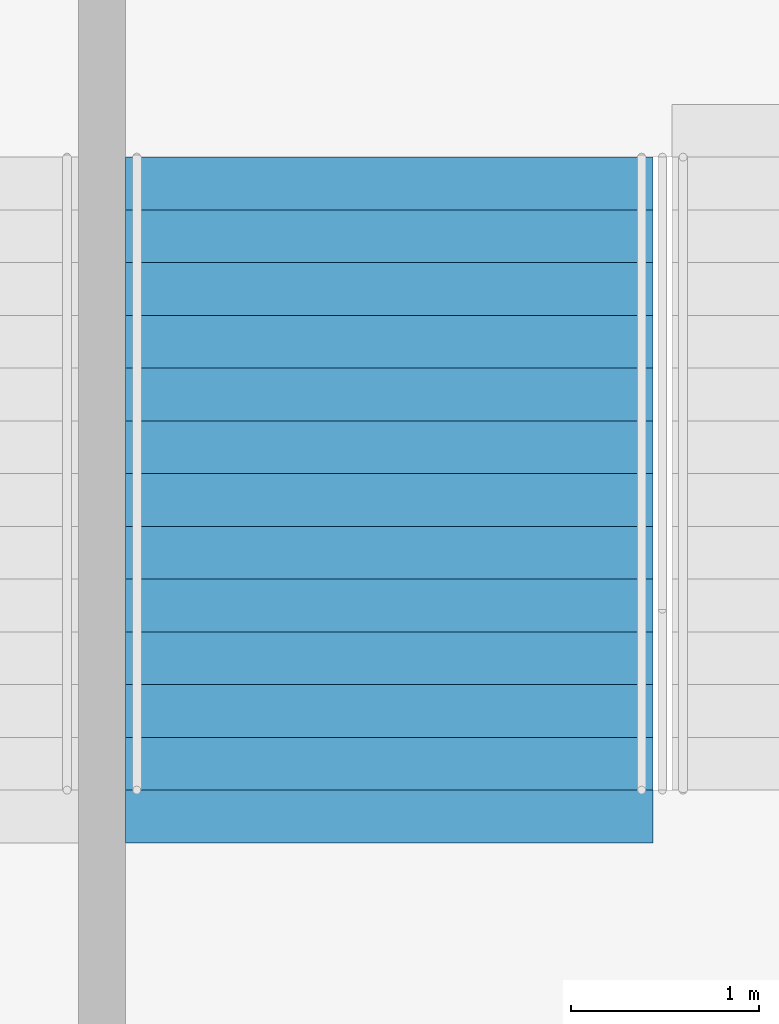
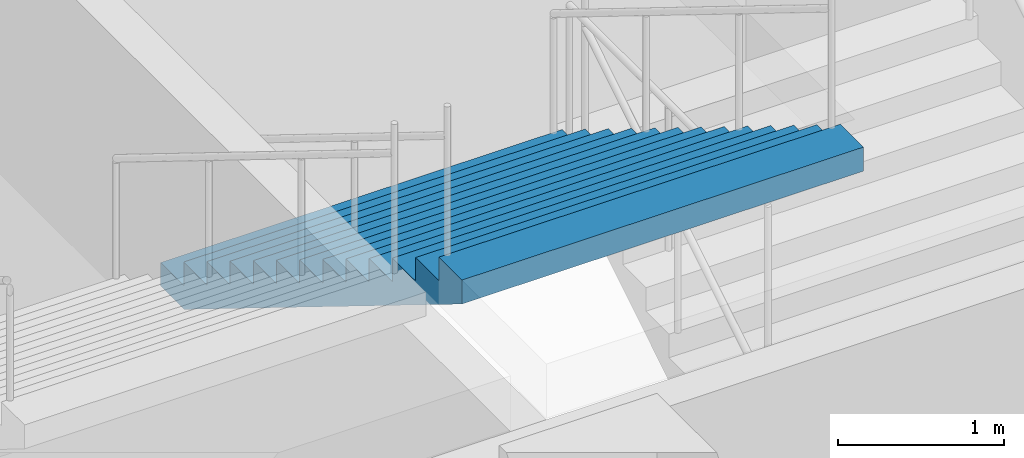
# One storey, part 169 of 199: 1 stair flight, 1 element without a shape of its own.
"""IFC4 building model written with IfcOpenShell, lengths in metres."""

from ifc_helpers import new_model, si_unit, direction, frame, origin, place, context, subcontext, project, spatial, faceted_brep, material, type_object, element, aggregate, save


model = new_model("IFC4")

# Units and contexts
model_context = context("Model", 3, precision=1e-05, world=origin(), true_north=direction((0.0, 1.0)))
body_context = subcontext(model_context, "Body", "Model", "MODEL_VIEW")
ifc_project = project(units=[si_unit("LENGTHUNIT", "METRE"), si_unit("AREAUNIT", "SQUARE_METRE"), si_unit("VOLUMEUNIT", "CUBIC_METRE"), si_unit("PLANEANGLEUNIT", "RADIAN"), si_unit("MASSUNIT", "GRAM", prefix="KILO")], contexts=[model_context])

# Site, building, storey
site_placement = place(None, origin())
site = spatial("IfcSite", under=ifc_project, at=site_placement, CompositionType="ELEMENT")
building_placement = place(site_placement, origin())
building = spatial("IfcBuilding", under=site, at=building_placement, Name="Ogive Plaza Stadium", CompositionType="ELEMENT")
storey_placement = place(building_placement, frame((0.0, 0.0, 9.0)))
storey = spatial("IfcBuildingStorey", under=building, at=storey_placement, Name="L02", CompositionType="ELEMENT", Elevation=9.0)

# Stair, stair flight
ifc_material_1 = material(Name="Concrete C40/50", Category="concrete")
stair_type = type_object("IfcStairType", Name="Exit stair", PredefinedType="STRAIGHT_RUN_STAIR", material=ifc_material_1)
stair_placement = place(storey_placement, origin())
stair = element("IfcStair", 1, at=stair_placement, inside=storey, type_object=stair_type, Name="Exit stair ST36A L02 to L03", PredefinedType="STRAIGHT_RUN_STAIR")
ifc_material_2 = material(Name="Concrete C40/50", Category="concrete")
stair_flight_type = type_object("IfcStairFlightType", Name="Exit stair flight", PredefinedType="STRAIGHT", material=ifc_material_2)
stair_flight_placement = place(storey_placement, frame((21.925048828125, 98.2099609375, 2.25), z_axis=(0.0, 0.0, 1.0), x_axis=(0.0, -1.0, 0.0)))
stair_flight = element("IfcStairFlight", 2, at=stair_flight_placement, type_object=stair_flight_type, Name="ST36A flight 2", NumberOfRisers=13, NumberOfTreads=12, PredefinedType="STRAIGHT", RiserHeight=0.173076923, TreadLength=0.28, context=body_context, shape_type="Brep", body=[
    faceted_brep([(0.28515625, -1.39990234375, 0.0), (3.639892578125, -1.39990234375, 2.07373046875), (3.639892578125, -1.39990234375, 2.25), (3.360107421875, -1.39990234375, 2.25), (3.360107421875, -1.39990234375, 2.076904296875), (3.080078125, -1.39990234375, 2.076904296875), (3.080078125, -1.39990234375, 1.90380859375), (2.800048828125, -1.39990234375, 1.90380859375), (2.800048828125, -1.39990234375, 1.730712890625), (2.52001953125, -1.39990234375, 1.730712890625), (2.52001953125, -1.39990234375, 1.5576171875), (2.239990234375, -1.39990234375, 1.5576171875), (2.239990234375, -1.39990234375, 1.384521484375), (1.9599609375, -1.39990234375, 1.384521484375), (1.9599609375, -1.39990234375, 1.21142578125), (1.679931640625, -1.39990234375, 1.21142578125), (1.679931640625, -1.39990234375, 1.03857421875), (1.39990234375, -1.39990234375, 1.03857421875), (1.39990234375, -1.39990234375, 0.865478515625), (1.1201171875, -1.39990234375, 0.865478515625), (1.1201171875, -1.39990234375, 0.6923828125), (0.840087890625, -1.39990234375, 0.6923828125), (0.840087890625, -1.39990234375, 0.519287109375), (0.56005859375, -1.39990234375, 0.519287109375), (0.56005859375, -1.39990234375, 0.34619140625), (0.280029296875, -1.39990234375, 0.34619140625), (0.280029296875, -1.39990234375, 0.173095703125), (0.0, -1.39990234375, 0.173095703125), (0.0, -1.39990234375, 0.0), (0.0, 1.39990234375, 0.0), (0.0, 1.39990234375, 0.173095703125), (0.280029296875, 1.39990234375, 0.173095703125), (0.280029296875, 1.39990234375, 0.34619140625), (0.56005859375, 1.39990234375, 0.34619140625), (0.56005859375, 1.39990234375, 0.519287109375), (0.840087890625, 1.39990234375, 0.519287109375), (0.840087890625, 1.39990234375, 0.6923828125), (1.1201171875, 1.39990234375, 0.6923828125), (1.1201171875, 1.39990234375, 0.865478515625), (1.39990234375, 1.39990234375, 0.865478515625), (1.39990234375, 1.39990234375, 1.03857421875), (1.679931640625, 1.39990234375, 1.03857421875), (1.679931640625, 1.39990234375, 1.21142578125), (1.9599609375, 1.39990234375, 1.21142578125), (1.9599609375, 1.39990234375, 1.384521484375), (2.239990234375, 1.39990234375, 1.384521484375), (2.239990234375, 1.39990234375, 1.5576171875), (2.52001953125, 1.39990234375, 1.5576171875), (2.52001953125, 1.39990234375, 1.730712890625), (2.800048828125, 1.39990234375, 1.730712890625), (2.800048828125, 1.39990234375, 1.90380859375), (3.080078125, 1.39990234375, 1.90380859375), (3.080078125, 1.39990234375, 2.076904296875), (3.360107421875, 1.39990234375, 2.076904296875), (3.360107421875, 1.39990234375, 2.25), (3.639892578125, 1.39990234375, 2.25), (3.639892578125, 1.39990234375, 2.07373046875), (0.28515625, 1.39990234375, 0.0), (0.28515625, -1.0888671875, 0.0), (3.639892578125, -1.0888671875, 2.07373046875), (0.28515625, -0.77783203125, 0.0), (3.639892578125, -0.77783203125, 2.07373046875), (0.28515625, -0.466796875, 0.0), (3.639892578125, -0.466796875, 2.07373046875), (0.28515625, -0.155517578125, 0.0), (3.639892578125, -0.155517578125, 2.07373046875), (0.28515625, 0.155517578125, 0.0), (3.639892578125, 0.155517578125, 2.07373046875), (0.28515625, 0.466796875, 0.0), (3.639892578125, 0.466796875, 2.07373046875), (0.28515625, 0.77783203125, 0.0), (3.639892578125, 0.77783203125, 2.07373046875), (0.28515625, 1.0888671875, 0.0), (3.639892578125, 1.0888671875, 2.07373046875), (3.639892578125, -1.0888671875, 2.25), (3.639892578125, -0.77783203125, 2.25), (3.639892578125, -0.466796875, 2.25), (3.639892578125, -0.155517578125, 2.25), (3.639892578125, 0.155517578125, 2.25), (3.639892578125, 0.466796875, 2.25), (3.639892578125, 0.77783203125, 2.25), (3.639892578125, 1.0888671875, 2.25), (3.360107421875, -1.0888671875, 2.25), (3.360107421875, -0.77783203125, 2.25), (3.360107421875, -0.466796875, 2.25), (3.360107421875, -0.155517578125, 2.25), (3.360107421875, 0.155517578125, 2.25), (3.360107421875, 0.466796875, 2.25), (3.360107421875, 0.77783203125, 2.25), (3.360107421875, 1.0888671875, 2.25), (3.360107421875, -1.0888671875, 2.076904296875), (3.360107421875, -0.77783203125, 2.076904296875), (3.360107421875, -0.466796875, 2.076904296875), (3.360107421875, -0.155517578125, 2.076904296875), (3.360107421875, 0.155517578125, 2.076904296875), (3.360107421875, 0.466796875, 2.076904296875), (3.360107421875, 0.77783203125, 2.076904296875), (3.360107421875, 1.0888671875, 2.076904296875), (3.080078125, -1.0888671875, 2.076904296875), (3.080078125, -0.77783203125, 2.076904296875), (3.080078125, -0.466796875, 2.076904296875), (3.080078125, -0.155517578125, 2.076904296875), (3.080078125, 0.155517578125, 2.076904296875), (3.080078125, 0.466796875, 2.076904296875), (3.080078125, 0.77783203125, 2.076904296875), (3.080078125, 1.0888671875, 2.076904296875), (3.080078125, -1.0888671875, 1.90380859375), (3.080078125, -0.77783203125, 1.90380859375), (3.080078125, -0.466796875, 1.90380859375), (3.080078125, -0.155517578125, 1.90380859375), (3.080078125, 0.155517578125, 1.90380859375), (3.080078125, 0.466796875, 1.90380859375), (3.080078125, 0.77783203125, 1.90380859375), (3.080078125, 1.0888671875, 1.90380859375), (2.800048828125, -1.0888671875, 1.90380859375), (2.800048828125, -0.77783203125, 1.90380859375), (2.800048828125, -0.466796875, 1.90380859375), (2.800048828125, -0.155517578125, 1.90380859375), (2.800048828125, 0.155517578125, 1.90380859375), (2.800048828125, 0.466796875, 1.90380859375), (2.800048828125, 0.77783203125, 1.90380859375), (2.800048828125, 1.0888671875, 1.90380859375), (2.800048828125, -1.0888671875, 1.730712890625), (2.800048828125, -0.77783203125, 1.730712890625), (2.800048828125, -0.466796875, 1.730712890625), (2.800048828125, -0.155517578125, 1.730712890625), (2.800048828125, 0.155517578125, 1.730712890625), (2.800048828125, 0.466796875, 1.730712890625), (2.800048828125, 0.77783203125, 1.730712890625), (2.800048828125, 1.0888671875, 1.730712890625), (2.52001953125, -1.0888671875, 1.730712890625), (2.52001953125, -0.77783203125, 1.730712890625), (2.52001953125, -0.466796875, 1.730712890625), (2.52001953125, -0.155517578125, 1.730712890625), (2.52001953125, 0.155517578125, 1.730712890625), (2.52001953125, 0.466796875, 1.730712890625), (2.52001953125, 0.77783203125, 1.730712890625), (2.52001953125, 1.0888671875, 1.730712890625), (2.52001953125, -1.0888671875, 1.5576171875), (2.52001953125, -0.77783203125, 1.5576171875), (2.52001953125, -0.466796875, 1.5576171875), (2.52001953125, -0.155517578125, 1.5576171875), (2.52001953125, 0.155517578125, 1.5576171875), (2.52001953125, 0.466796875, 1.5576171875), (2.52001953125, 0.77783203125, 1.5576171875), (2.52001953125, 1.0888671875, 1.5576171875), (2.239990234375, -1.0888671875, 1.5576171875), (2.239990234375, -0.77783203125, 1.5576171875), (2.239990234375, -0.466796875, 1.5576171875), (2.239990234375, -0.155517578125, 1.5576171875), (2.239990234375, 0.155517578125, 1.5576171875), (2.239990234375, 0.466796875, 1.5576171875), (2.239990234375, 0.77783203125, 1.5576171875), (2.239990234375, 1.0888671875, 1.5576171875), (2.239990234375, -1.0888671875, 1.384521484375), (2.239990234375, -0.77783203125, 1.384521484375), (2.239990234375, -0.466796875, 1.384521484375), (2.239990234375, -0.155517578125, 1.384521484375), (2.239990234375, 0.155517578125, 1.384521484375), (2.239990234375, 0.466796875, 1.384521484375), (2.239990234375, 0.77783203125, 1.384521484375), (2.239990234375, 1.0888671875, 1.384521484375), (1.9599609375, -1.0888671875, 1.384521484375), (1.9599609375, -0.77783203125, 1.384521484375), (1.9599609375, -0.466796875, 1.384521484375), (1.9599609375, -0.155517578125, 1.384521484375), (1.9599609375, 0.155517578125, 1.384521484375), (1.9599609375, 0.466796875, 1.384521484375), (1.9599609375, 0.77783203125, 1.384521484375), (1.9599609375, 1.0888671875, 1.384521484375), (1.9599609375, -1.0888671875, 1.21142578125), (1.9599609375, -0.77783203125, 1.21142578125), (1.9599609375, -0.466796875, 1.21142578125), (1.9599609375, -0.155517578125, 1.21142578125), (1.9599609375, 0.155517578125, 1.21142578125), (1.9599609375, 0.466796875, 1.21142578125), (1.9599609375, 0.77783203125, 1.21142578125), (1.9599609375, 1.0888671875, 1.21142578125), (1.679931640625, -1.0888671875, 1.21142578125), (1.679931640625, -0.77783203125, 1.21142578125), (1.679931640625, -0.466796875, 1.21142578125), (1.679931640625, -0.155517578125, 1.21142578125), (1.679931640625, 0.155517578125, 1.21142578125), (1.679931640625, 0.466796875, 1.21142578125), (1.679931640625, 0.77783203125, 1.21142578125), (1.679931640625, 1.0888671875, 1.21142578125), (1.679931640625, -1.0888671875, 1.03857421875), (1.679931640625, -0.77783203125, 1.03857421875), (1.679931640625, -0.466796875, 1.03857421875), (1.679931640625, -0.155517578125, 1.03857421875), (1.679931640625, 0.155517578125, 1.03857421875), (1.679931640625, 0.466796875, 1.03857421875), (1.679931640625, 0.77783203125, 1.03857421875), (1.679931640625, 1.0888671875, 1.03857421875), (1.39990234375, -1.0888671875, 1.03857421875), (1.39990234375, -0.77783203125, 1.03857421875), (1.39990234375, -0.466796875, 1.03857421875), (1.39990234375, -0.155517578125, 1.03857421875), (1.39990234375, 0.155517578125, 1.03857421875), (1.39990234375, 0.466796875, 1.03857421875), (1.39990234375, 0.77783203125, 1.03857421875), (1.39990234375, 1.0888671875, 1.03857421875), (1.39990234375, -1.0888671875, 0.865478515625), (1.39990234375, -0.77783203125, 0.865478515625), (1.39990234375, -0.466796875, 0.865478515625), (1.39990234375, -0.155517578125, 0.865478515625), (1.39990234375, 0.155517578125, 0.865478515625), (1.39990234375, 0.466796875, 0.865478515625), (1.39990234375, 0.77783203125, 0.865478515625), (1.39990234375, 1.0888671875, 0.865478515625), (1.1201171875, -1.0888671875, 0.865478515625), (1.1201171875, -0.77783203125, 0.865478515625), (1.1201171875, -0.466796875, 0.865478515625), (1.1201171875, -0.155517578125, 0.865478515625), (1.1201171875, 0.155517578125, 0.865478515625), (1.1201171875, 0.466796875, 0.865478515625), (1.1201171875, 0.77783203125, 0.865478515625), (1.1201171875, 1.0888671875, 0.865478515625), (1.1201171875, -1.0888671875, 0.6923828125), (1.1201171875, -0.77783203125, 0.6923828125), (1.1201171875, -0.466796875, 0.6923828125), (1.1201171875, -0.155517578125, 0.6923828125), (1.1201171875, 0.155517578125, 0.6923828125), (1.1201171875, 0.466796875, 0.6923828125), (1.1201171875, 0.77783203125, 0.6923828125), (1.1201171875, 1.0888671875, 0.6923828125), (0.840087890625, -1.0888671875, 0.6923828125), (0.840087890625, -0.77783203125, 0.6923828125), (0.840087890625, -0.466796875, 0.6923828125), (0.840087890625, -0.155517578125, 0.6923828125), (0.840087890625, 0.155517578125, 0.6923828125), (0.840087890625, 0.466796875, 0.6923828125), (0.840087890625, 0.77783203125, 0.6923828125), (0.840087890625, 1.0888671875, 0.6923828125), (0.840087890625, -1.0888671875, 0.519287109375), (0.840087890625, -0.77783203125, 0.519287109375), (0.840087890625, -0.466796875, 0.519287109375), (0.840087890625, -0.155517578125, 0.519287109375), (0.840087890625, 0.155517578125, 0.519287109375), (0.840087890625, 0.466796875, 0.519287109375), (0.840087890625, 0.77783203125, 0.519287109375), (0.840087890625, 1.0888671875, 0.519287109375), (0.56005859375, -1.0888671875, 0.519287109375), (0.56005859375, -0.77783203125, 0.519287109375), (0.56005859375, -0.466796875, 0.519287109375), (0.56005859375, -0.155517578125, 0.519287109375), (0.56005859375, 0.155517578125, 0.519287109375), (0.56005859375, 0.466796875, 0.519287109375), (0.56005859375, 0.77783203125, 0.519287109375), (0.56005859375, 1.0888671875, 0.519287109375), (0.56005859375, -1.0888671875, 0.34619140625), (0.56005859375, -0.77783203125, 0.34619140625), (0.56005859375, -0.466796875, 0.34619140625), (0.56005859375, -0.155517578125, 0.34619140625), (0.56005859375, 0.155517578125, 0.34619140625), (0.56005859375, 0.466796875, 0.34619140625), (0.56005859375, 0.77783203125, 0.34619140625), (0.56005859375, 1.0888671875, 0.34619140625), (0.280029296875, -1.0888671875, 0.34619140625), (0.280029296875, -0.77783203125, 0.34619140625), (0.280029296875, -0.466796875, 0.34619140625), (0.280029296875, -0.155517578125, 0.34619140625), (0.280029296875, 0.155517578125, 0.34619140625), (0.280029296875, 0.466796875, 0.34619140625), (0.280029296875, 0.77783203125, 0.34619140625), (0.280029296875, 1.0888671875, 0.34619140625), (0.280029296875, -1.0888671875, 0.173095703125), (0.280029296875, -0.77783203125, 0.173095703125), (0.280029296875, -0.466796875, 0.173095703125), (0.280029296875, -0.155517578125, 0.173095703125), (0.280029296875, 0.155517578125, 0.173095703125), (0.280029296875, 0.466796875, 0.173095703125), (0.280029296875, 0.77783203125, 0.173095703125), (0.280029296875, 1.0888671875, 0.173095703125), (0.0, -1.0888671875, 0.173095703125), (0.0, -0.77783203125, 0.173095703125), (0.0, -0.466796875, 0.173095703125), (0.0, -0.155517578125, 0.173095703125), (0.0, 0.155517578125, 0.173095703125), (0.0, 0.466796875, 0.173095703125), (0.0, 0.77783203125, 0.173095703125), (0.0, 1.0888671875, 0.173095703125), (0.0, -1.0888671875, 0.0), (0.0, -0.77783203125, 0.0), (0.0, -0.466796875, 0.0), (0.0, -0.155517578125, 0.0), (0.0, 0.155517578125, 0.0), (0.0, 0.466796875, 0.0), (0.0, 0.77783203125, 0.0), (0.0, 1.0888671875, 0.0)], [[[0, 1, 2, 3, 4, 5, 6, 7, 8, 9, 10, 11, 12, 13, 14, 15, 16, 17, 18, 19, 20, 21, 22, 23, 24, 25, 26, 27, 28]], [[29, 30, 31, 32, 33, 34, 35, 36, 37, 38, 39, 40, 41, 42, 43, 44, 45, 46, 47, 48, 49, 50, 51, 52, 53, 54, 55, 56, 57]], [[0, 58, 59, 1]], [[58, 60, 61, 59]], [[60, 62, 63, 61]], [[62, 64, 65, 63]], [[64, 66, 67, 65]], [[66, 68, 69, 67]], [[68, 70, 71, 69]], [[70, 72, 73, 71]], [[72, 57, 56, 73]], [[1, 59, 74, 2]], [[59, 61, 75, 74]], [[61, 63, 76, 75]], [[63, 65, 77, 76]], [[65, 67, 78, 77]], [[67, 69, 79, 78]], [[69, 71, 80, 79]], [[71, 73, 81, 80]], [[73, 56, 55, 81]], [[2, 74, 82, 3]], [[74, 75, 83, 82]], [[75, 76, 84, 83]], [[76, 77, 85, 84]], [[77, 78, 86, 85]], [[78, 79, 87, 86]], [[79, 80, 88, 87]], [[80, 81, 89, 88]], [[81, 55, 54, 89]], [[3, 82, 90, 4]], [[82, 83, 91, 90]], [[83, 84, 92, 91]], [[84, 85, 93, 92]], [[85, 86, 94, 93]], [[86, 87, 95, 94]], [[87, 88, 96, 95]], [[88, 89, 97, 96]], [[89, 54, 53, 97]], [[4, 90, 98, 5]], [[90, 91, 99, 98]], [[91, 92, 100, 99]], [[92, 93, 101, 100]], [[93, 94, 102, 101]], [[94, 95, 103, 102]], [[95, 96, 104, 103]], [[96, 97, 105, 104]], [[97, 53, 52, 105]], [[5, 98, 106, 6]], [[98, 99, 107, 106]], [[99, 100, 108, 107]], [[100, 101, 109, 108]], [[101, 102, 110, 109]], [[102, 103, 111, 110]], [[103, 104, 112, 111]], [[104, 105, 113, 112]], [[105, 52, 51, 113]], [[6, 106, 114, 7]], [[106, 107, 115, 114]], [[107, 108, 116, 115]], [[108, 109, 117, 116]], [[109, 110, 118, 117]], [[110, 111, 119, 118]], [[111, 112, 120, 119]], [[112, 113, 121, 120]], [[113, 51, 50, 121]], [[7, 114, 122, 8]], [[114, 115, 123, 122]], [[115, 116, 124, 123]], [[116, 117, 125, 124]], [[117, 118, 126, 125]], [[118, 119, 127, 126]], [[119, 120, 128, 127]], [[120, 121, 129, 128]], [[121, 50, 49, 129]], [[8, 122, 130, 9]], [[122, 123, 131, 130]], [[123, 124, 132, 131]], [[124, 125, 133, 132]], [[125, 126, 134, 133]], [[126, 127, 135, 134]], [[127, 128, 136, 135]], [[128, 129, 137, 136]], [[129, 49, 48, 137]], [[9, 130, 138, 10]], [[130, 131, 139, 138]], [[131, 132, 140, 139]], [[132, 133, 141, 140]], [[133, 134, 142, 141]], [[134, 135, 143, 142]], [[135, 136, 144, 143]], [[136, 137, 145, 144]], [[137, 48, 47, 145]], [[10, 138, 146, 11]], [[138, 139, 147, 146]], [[139, 140, 148, 147]], [[140, 141, 149, 148]], [[141, 142, 150, 149]], [[142, 143, 151, 150]], [[143, 144, 152, 151]], [[144, 145, 153, 152]], [[145, 47, 46, 153]], [[11, 146, 154, 12]], [[146, 147, 155, 154]], [[147, 148, 156, 155]], [[148, 149, 157, 156]], [[149, 150, 158, 157]], [[150, 151, 159, 158]], [[151, 152, 160, 159]], [[152, 153, 161, 160]], [[153, 46, 45, 161]], [[12, 154, 162, 13]], [[154, 155, 163, 162]], [[155, 156, 164, 163]], [[156, 157, 165, 164]], [[157, 158, 166, 165]], [[158, 159, 167, 166]], [[159, 160, 168, 167]], [[160, 161, 169, 168]], [[161, 45, 44, 169]], [[13, 162, 170, 14]], [[162, 163, 171, 170]], [[163, 164, 172, 171]], [[164, 165, 173, 172]], [[165, 166, 174, 173]], [[166, 167, 175, 174]], [[167, 168, 176, 175]], [[168, 169, 177, 176]], [[169, 44, 43, 177]], [[14, 170, 178, 15]], [[170, 171, 179, 178]], [[171, 172, 180, 179]], [[172, 173, 181, 180]], [[173, 174, 182, 181]], [[174, 175, 183, 182]], [[175, 176, 184, 183]], [[176, 177, 185, 184]], [[177, 43, 42, 185]], [[15, 178, 186, 16]], [[178, 179, 187, 186]], [[179, 180, 188, 187]], [[180, 181, 189, 188]], [[181, 182, 190, 189]], [[182, 183, 191, 190]], [[183, 184, 192, 191]], [[184, 185, 193, 192]], [[185, 42, 41, 193]], [[16, 186, 194, 17]], [[186, 187, 195, 194]], [[187, 188, 196, 195]], [[188, 189, 197, 196]], [[189, 190, 198, 197]], [[190, 191, 199, 198]], [[191, 192, 200, 199]], [[192, 193, 201, 200]], [[193, 41, 40, 201]], [[17, 194, 202, 18]], [[194, 195, 203, 202]], [[195, 196, 204, 203]], [[196, 197, 205, 204]], [[197, 198, 206, 205]], [[198, 199, 207, 206]], [[199, 200, 208, 207]], [[200, 201, 209, 208]], [[201, 40, 39, 209]], [[18, 202, 210, 19]], [[202, 203, 211, 210]], [[203, 204, 212, 211]], [[204, 205, 213, 212]], [[205, 206, 214, 213]], [[206, 207, 215, 214]], [[207, 208, 216, 215]], [[208, 209, 217, 216]], [[209, 39, 38, 217]], [[19, 210, 218, 20]], [[210, 211, 219, 218]], [[211, 212, 220, 219]], [[212, 213, 221, 220]], [[213, 214, 222, 221]], [[214, 215, 223, 222]], [[215, 216, 224, 223]], [[216, 217, 225, 224]], [[217, 38, 37, 225]], [[20, 218, 226, 21]], [[218, 219, 227, 226]], [[219, 220, 228, 227]], [[220, 221, 229, 228]], [[221, 222, 230, 229]], [[222, 223, 231, 230]], [[223, 224, 232, 231]], [[224, 225, 233, 232]], [[225, 37, 36, 233]], [[21, 226, 234, 22]], [[226, 227, 235, 234]], [[227, 228, 236, 235]], [[228, 229, 237, 236]], [[229, 230, 238, 237]], [[230, 231, 239, 238]], [[231, 232, 240, 239]], [[232, 233, 241, 240]], [[233, 36, 35, 241]], [[22, 234, 242, 23]], [[234, 235, 243, 242]], [[235, 236, 244, 243]], [[236, 237, 245, 244]], [[237, 238, 246, 245]], [[238, 239, 247, 246]], [[239, 240, 248, 247]], [[240, 241, 249, 248]], [[241, 35, 34, 249]], [[23, 242, 250, 24]], [[242, 243, 251, 250]], [[243, 244, 252, 251]], [[244, 245, 253, 252]], [[245, 246, 254, 253]], [[246, 247, 255, 254]], [[247, 248, 256, 255]], [[248, 249, 257, 256]], [[249, 34, 33, 257]], [[24, 250, 258, 25]], [[250, 251, 259, 258]], [[251, 252, 260, 259]], [[252, 253, 261, 260]], [[253, 254, 262, 261]], [[254, 255, 263, 262]], [[255, 256, 264, 263]], [[256, 257, 265, 264]], [[257, 33, 32, 265]], [[25, 258, 266, 26]], [[258, 259, 267, 266]], [[259, 260, 268, 267]], [[260, 261, 269, 268]], [[261, 262, 270, 269]], [[262, 263, 271, 270]], [[263, 264, 272, 271]], [[264, 265, 273, 272]], [[265, 32, 31, 273]], [[26, 266, 274, 27]], [[266, 267, 275, 274]], [[267, 268, 276, 275]], [[268, 269, 277, 276]], [[269, 270, 278, 277]], [[270, 271, 279, 278]], [[271, 272, 280, 279]], [[272, 273, 281, 280]], [[273, 31, 30, 281]], [[27, 274, 282, 28]], [[274, 275, 283, 282]], [[275, 276, 284, 283]], [[276, 277, 285, 284]], [[277, 278, 286, 285]], [[278, 279, 287, 286]], [[279, 280, 288, 287]], [[280, 281, 289, 288]], [[281, 30, 29, 289]], [[28, 282, 58, 0]], [[282, 283, 60, 58]], [[283, 284, 62, 60]], [[284, 285, 64, 62]], [[285, 286, 66, 64]], [[286, 287, 68, 66]], [[287, 288, 70, 68]], [[288, 289, 72, 70]], [[289, 29, 57, 72]]]),
])
aggregate(stair, [stair_flight])

save(model, "model.ifc")
